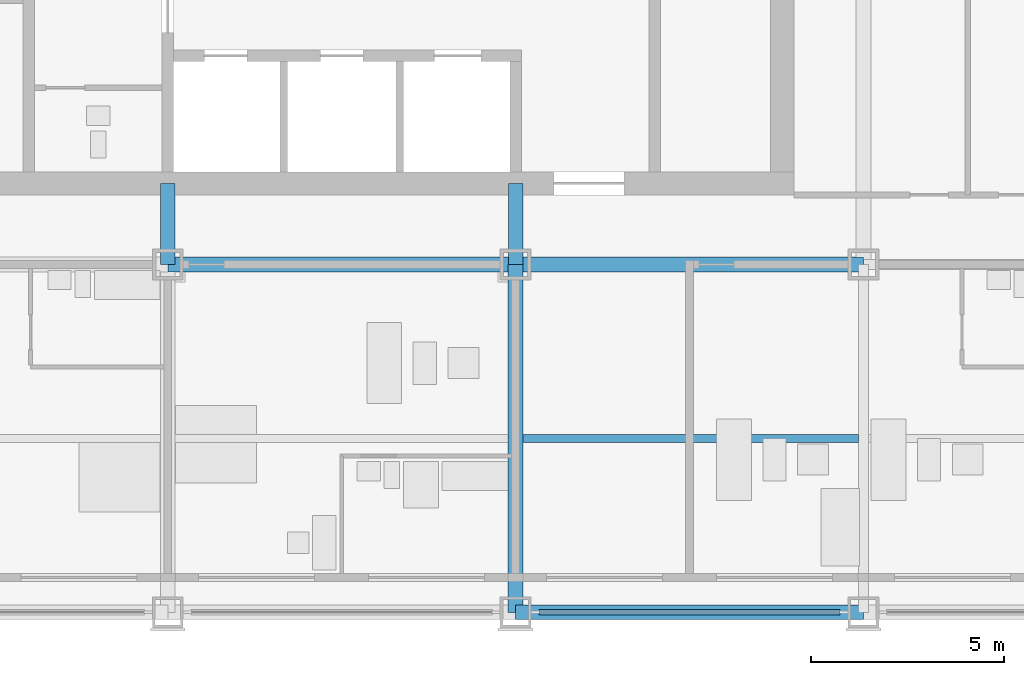
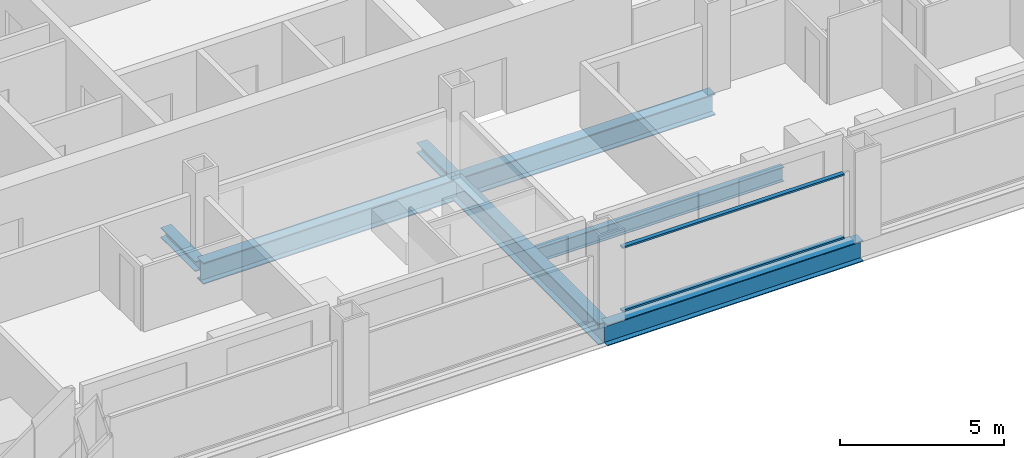
# One storey, part 3 of 18: 5 beams, 4 members, 1 element without a shape of its own.
"""IFC4 building model written with IfcOpenShell, lengths in metres."""

import ifcopenshell
import ifcopenshell.guid

model = None  # the IFC model being written
_history = None  # IfcOwnerHistory: only IFC2X3 demands one
_inside = {}  # id of a spatial element -> (the spatial element, [elements in it])
_under = {}  # id of a project, library or spatial element -> (it, [spatial elements below it])
_declared = {}  # id of a project -> (the project, [libraries it declares])
_typed = {}  # id of a type object -> (the type object, [elements of that type])
_made_of = {}  # id of a material, layer set ... -> (it, [elements and type objects made of it])


def new_model(schema):
    """Start an empty IFC model of exactly this schema.

    Asked for "IFC4X3", IfcOpenShell would pick the latest addendum, in which some entities
    have other attributes; the version numbers below select the first issue.
    IFC2X3 requires an IfcOwnerHistory on every rooted entity: one is made here for all.
    """
    global model, _history
    if schema == "IFC4X3":
        model = ifcopenshell.file(schema_version=(4, 3, 0, 0))
    else:
        model = ifcopenshell.file(schema=schema)
    _inside.clear()
    _under.clear()
    _declared.clear()
    _typed.clear()
    _made_of.clear()
    _history = None
    if model.schema == "IFC2X3":
        org = make("IfcOrganization", Name="unknown")
        user = make(
            "IfcPersonAndOrganization",
            ThePerson=make("IfcPerson", FamilyName="unknown"),
            TheOrganization=org,
        )
        app = make(
            "IfcApplication",
            ApplicationDeveloper=org,
            Version="unknown",
            ApplicationFullName="unknown",
            ApplicationIdentifier="unknown",
        )
        _history = make(
            "IfcOwnerHistory",
            OwningUser=user,
            OwningApplication=app,
            ChangeAction="ADDED",
            CreationDate=0,
        )
    return model


def make(cls, **values):
    """One entity of the class cls with the attributes given. An attribute that is None is left unset."""
    return model.create_entity(
        cls, **{name: value for name, value in values.items() if value is not None}
    )


def rooted(cls, **values):
    """An entity with a GlobalId (a new one), such as an element, a storey or a relation."""
    return make(cls, GlobalId=ifcopenshell.guid.new(), OwnerHistory=_history, **values)


def si_unit(unit_type, name, prefix=None):
    """IfcSIUnit, for example si_unit("LENGTHUNIT", "METRE", prefix="MILLI")."""
    return make("IfcSIUnit", UnitType=unit_type, Prefix=prefix, Name=name)


def assignment(units):
    """IfcUnitAssignment: the units of a project."""
    return None if units is None else make("IfcUnitAssignment", Units=units)


def point(xyz):
    """IfcCartesianPoint."""
    return None if xyz is None else make("IfcCartesianPoint", Coordinates=xyz)


def direction(xyz):
    """IfcDirection."""
    return None if xyz is None else make("IfcDirection", DirectionRatios=xyz)


def frame(location, z_axis=None, x_axis=None):
    """IfcAxis2Placement3D, a coordinate frame: its origin and axes. An axis left out is left unset."""
    return make(
        "IfcAxis2Placement3D",
        Location=point(location),
        Axis=direction(z_axis),
        RefDirection=direction(x_axis),
    )


def frame_2d(location, x_axis=None):
    """IfcAxis2Placement2D, a coordinate frame in the plane: its origin and x axis."""
    return make(
        "IfcAxis2Placement2D", Location=point(location), RefDirection=direction(x_axis)
    )


def origin():
    """The frame at (0, 0, 0) with its axes left unset."""
    return frame((0.0, 0.0, 0.0))


def origin_2d():
    """The frame at (0, 0) in the plane with its x axis left unset."""
    return frame_2d((0.0, 0.0))


def place(relative_to, where):
    """IfcLocalPlacement: puts the frame where relative to a parent placement (None: the world)."""
    return make(
        "IfcLocalPlacement", PlacementRelTo=relative_to, RelativePlacement=where
    )


def context(
    kind, dimensions, precision=None, world=None, true_north=None, identifier=None
):
    """IfcGeometricRepresentationContext, for example the 3D "Model" context."""
    return make(
        "IfcGeometricRepresentationContext",
        ContextIdentifier=identifier,
        ContextType=kind,
        CoordinateSpaceDimension=dimensions,
        Precision=precision,
        WorldCoordinateSystem=world,
        TrueNorth=true_north,
    )


def subcontext(parent, identifier, kind, view, scale=None):
    """IfcGeometricRepresentationSubContext, for example "Body" below "Model"."""
    return make(
        "IfcGeometricRepresentationSubContext",
        ContextIdentifier=identifier,
        ContextType=kind,
        ParentContext=parent,
        TargetScale=scale,
        TargetView=view,
    )


def project(units=None, contexts=None):
    """IfcProject with its units and contexts."""
    return rooted(
        "IfcProject",
        Name="project",
        RepresentationContexts=contexts,
        UnitsInContext=assignment(units),
    )


def spatial(cls, under=None, at=None, **own):
    """A site, building, storey or space (cls), placed at a placement, below another one or the project."""
    s = rooted(cls, ObjectPlacement=at, **own)
    if under is not None:
        _under.setdefault(under.id(), (under, []))[1].append(s)
    return s


def profile(cls, at=None, kind="AREA", **sizes):
    """A parametric profile (cls). Its sizes go by their IFC names, for example OverallWidth=200.0."""
    return make(cls, ProfileType=kind, Position=at, **sizes)


def rectangle(**sizes):
    """IfcRectangleProfileDef."""
    return profile("IfcRectangleProfileDef", **sizes)


def i_section(**sizes):
    """IfcIShapeProfileDef."""
    return profile("IfcIShapeProfileDef", **sizes)


def extrude(swept, where, along, depth):
    """IfcExtrudedAreaSolid: the profile swept, set in the frame where, extruded along a direction by depth."""
    return make(
        "IfcExtrudedAreaSolid",
        SweptArea=swept,
        Position=where,
        ExtrudedDirection=direction(along),
        Depth=depth,
    )


def shape(context_of_items, identifier, shape_type, items):
    """IfcShapeRepresentation: the items that make up one representation, for example the "Body"."""
    return make(
        "IfcShapeRepresentation",
        ContextOfItems=context_of_items,
        RepresentationIdentifier=identifier,
        RepresentationType=shape_type,
        Items=items,
    )


def material(Name=None, Category=None):
    """IfcMaterial."""
    return make("IfcMaterial", Name=Name, Category=Category)


def material_profile(
    of_material, cross_section, Name=None, Category=None, Priority=None
):
    """IfcMaterialProfile: a cross section and its material."""
    return make(
        "IfcMaterialProfile",
        Name=Name,
        Material=of_material,
        Profile=cross_section,
        Priority=Priority,
        Category=Category,
    )


def profile_set(profiles, Name=None, composite=None):
    """IfcMaterialProfileSet."""
    return make(
        "IfcMaterialProfileSet",
        Name=Name,
        MaterialProfiles=profiles,
        CompositeProfile=composite,
    )


def made_of(thing, what):
    """Note that an element or type object is made of a material, layer set ...; save() writes the relation."""
    if what is not None:
        _made_of.setdefault(what.id(), (what, []))[1].append(thing)
    return thing


def type_object(cls, material=None, **own):
    """A type object (cls), such as IfcWallType, which elements share."""
    return made_of(rooted(cls, **own), material)


def element(
    cls,
    number,
    at=None,
    inside=None,
    cuts=None,
    type_object=None,
    material=None,
    context=None,
    identifier="Body",
    shape_type=None,
    held_by="IfcProductDefinitionShape",
    body=None,
    shapes=None,
    **own,
):
    """One element of the class cls, such as IfcWall. Its Tag is "e" and its number.

    at: its placement. inside: the storey or other place that contains it. cuts: it is an
    opening in that element (IfcRelVoidsElement). A single representation is given by context,
    identifier, shape_type and body (its items); several are given by shapes. held_by: the class
    of the entity that holds the representations. save() writes the other relations.
    """
    e = rooted(cls, Tag="e%d" % number, ObjectPlacement=at, **own)
    if body is not None:
        shapes = [shape(context, identifier, shape_type, body)]
    if shapes is not None:
        e.Representation = make(held_by, Representations=shapes)
    if inside is not None:
        _inside.setdefault(inside.id(), (inside, []))[1].append(e)
    if cuts is not None:
        rooted(
            "IfcRelVoidsElement", RelatingBuildingElement=cuts, RelatedOpeningElement=e
        )
    if type_object is not None:
        _typed.setdefault(type_object.id(), (type_object, []))[1].append(e)
    return made_of(e, material)


def aggregate(whole, parts):
    """IfcRelAggregates: a whole, such as a stair, and the parts it consists of."""
    return rooted("IfcRelAggregates", RelatingObject=whole, RelatedObjects=parts)


def save(model, path):
    """Write the relations noted so far, then the file.

    IfcRelAggregates (storeys below a building ...), IfcRelContainedInSpatialStructure (elements
    in a storey), IfcRelDefinesByType, IfcRelAssociatesMaterial and IfcRelDeclares: one each for
    every whole, place, type object, material and project.
    """
    for whole, parts in _under.values():
        aggregate(whole, parts)
    for where, things in _inside.values():
        rooted(
            "IfcRelContainedInSpatialStructure",
            RelatedElements=things,
            RelatingStructure=where,
        )
    for kind, things in _typed.values():
        rooted("IfcRelDefinesByType", RelatedObjects=things, RelatingType=kind)
    for what, things in _made_of.values():
        rooted("IfcRelAssociatesMaterial", RelatedObjects=things, RelatingMaterial=what)
    for by, libraries in _declared.values():
        rooted("IfcRelDeclares", RelatingContext=by, RelatedDefinitions=libraries)
    model.write(path)


model = new_model("IFC4")

# Units and contexts
model_context = context("Model", 3, precision=1e-05, world=origin(), true_north=direction((0.0, 1.0)))
body_context = subcontext(model_context, "Body", "Model", "MODEL_VIEW")
ifc_project = project(units=[si_unit("LENGTHUNIT", "METRE"), si_unit("AREAUNIT", "SQUARE_METRE"), si_unit("VOLUMEUNIT", "CUBIC_METRE"), si_unit("PLANEANGLEUNIT", "RADIAN"), si_unit("MASSUNIT", "GRAM", prefix="KILO")], contexts=[model_context])

# Site, building, storey
site_placement = place(None, origin())
site = spatial("IfcSite", under=ifc_project, at=site_placement, CompositionType="ELEMENT")
building_placement = place(site_placement, origin())
building = spatial("IfcBuilding", under=site, at=building_placement, Name="Loomwork Tower", CompositionType="ELEMENT")
storey_placement = place(building_placement, frame((0.0, 0.0, 72.199951171875)))
storey = spatial("IfcBuildingStorey", under=building, at=storey_placement, Name="L18", CompositionType="ELEMENT", Elevation=72.199951171875)

# Beams
ifc_material_1 = material(Name="Steel ASTM A992", Category="steel")
ifc_material_profile_1 = material_profile(ifc_material_1, i_section(OverallWidth=0.383544921875, OverallDepth=0.794921875, WebThickness=0.02099609375, FlangeThickness=0.0380859375, at=origin_2d()), Name="W30x235")
ifc_profile_set_1 = profile_set([ifc_material_profile_1], Name="Steel ASTM A992")
beam_type_1 = type_object("IfcBeamType", Name="CORE FLANK GIRDER W30x235", PredefinedType="BEAM", material=ifc_profile_set_1)
for number, where, z_axis, x_axis, name in (
    (1, (18.0, 9.0, -0.597412109375), (1.0, 0.0, 0.0), (0.0, 1.0, 0.0), "Core Flank Girder E/4-E/5 L18"),
    (2, (27.0, 9.0, -0.597412109375), (1.0, 0.0, 0.0), (0.0, 1.0, 0.0), "Core Flank Girder E/5-E/6 L18"),
    (3, (27.0, 0.0, -0.597412109375), (0.0, 1.0, 0.0), (-1.0, 0.0, 0.0), "Core Flank Girder D/5-E/5 L18"),
):
    element("IfcBeam", number, at=place(storey_placement, frame(where, z_axis=z_axis, x_axis=x_axis)), inside=storey, type_object=beam_type_1, Name=name, PredefinedType="BEAM", context=body_context, shape_type="SweptSolid", body=[
        extrude(i_section(OverallWidth=0.383544921875, OverallDepth=0.794921875, WebThickness=0.02099609375, FlangeThickness=0.0380859375, at=origin_2d()), origin(), (0.0, 0.0, 1.0), 9.0),
    ])

# Members
ifc_material_2 = material(Name="Steel ASTM A992", Category="steel")
ifc_material_profile_2 = material_profile(ifc_material_2, i_section(OverallWidth=0.373291015625, OverallDepth=0.373291015625, WebThickness=0.016357421875, FlangeThickness=0.026123046875, at=origin_2d()), Name="W14x132")
ifc_profile_set_2 = profile_set([ifc_material_profile_2], Name="Steel ASTM A992")
member_type_1 = type_object("IfcMemberType", Name="CORE LINK STRUT W14x132", PredefinedType="STRUT", material=ifc_profile_set_2)
for number, where, z_axis, x_axis, name in (
    (4, (27.0, 9.0, -0.38671875), (0.0, 1.0, 0.0), (-1.0, 0.0, 0.0), "Core link strut E/5-27.000,11.100 L18"),
    (5, (18.0, 9.0, -0.38671875), (0.0, 1.0, 0.0), (-1.0, 0.0, 0.0), "Core link strut E/4-18.000,11.100 L18"),
):
    element("IfcMember", number, at=place(storey_placement, frame(where, z_axis=z_axis, x_axis=x_axis)), inside=storey, type_object=member_type_1, Name=name, PredefinedType="STRUT", context=body_context, shape_type="SweptSolid", body=[
        extrude(i_section(OverallWidth=0.373291015625, OverallDepth=0.373291015625, WebThickness=0.016357421875, FlangeThickness=0.026123046875, at=origin_2d()), origin(), (0.0, 0.0, 1.0), 2.10009765625),
    ])

# Beam
ifc_material_3 = material(Name="Steel ASTM A992", Category="steel")
ifc_material_profile_3 = material_profile(ifc_material_3, i_section(OverallWidth=0.2109375, OverallDepth=0.53857421875, WebThickness=0.011474609375, FlangeThickness=0.018798828125, at=origin_2d()), Name="W21x73")
ifc_profile_set_3 = profile_set([ifc_material_profile_3], Name="Steel ASTM A992")
beam_type_2 = type_object("IfcBeamType", Name="FLOOR JOIST W21x73", PredefinedType="JOIST", material=ifc_profile_set_3)
beam_1_placement = place(storey_placement, frame((27.19091796875, 4.5, -0.46923828125), z_axis=(1.0, 0.0, 0.0), x_axis=(0.0, 1.0, 0.0)))
element("IfcBeam", 6, at=beam_1_placement, inside=storey, type_object=beam_type_2, Name="Floor Joist 27.000,4.500-36.000,4.500 L18", PredefinedType="JOIST", context=body_context, shape_type="SweptSolid", body=[
    extrude(i_section(OverallWidth=0.2109375, OverallDepth=0.53857421875, WebThickness=0.011474609375, FlangeThickness=0.018798828125, at=origin_2d()), origin(), (0.0, 0.0, 1.0), 8.676025390625),
])

# Curtain wall, members
ifc_material_4 = material(Name="Aluminium curtain wall frame", Category="aluminium")
curtain_wall_type = type_object("IfcCurtainWallType", Name="Outer skin glazing hotel", PredefinedType="NOTDEFINED", material=ifc_material_4)
curtain_wall_placement = place(storey_placement, origin())
curtain_wall = element("IfcCurtainWall", 7, at=curtain_wall_placement, inside=storey, type_object=curtain_wall_type, Name="Outer skin glazing hotel cw/S-27", PredefinedType="NOTDEFINED")
ifc_material_5 = material(Name="Aluminium curtain wall frame", Category="aluminium")
ifc_material_profile_4 = material_profile(ifc_material_5, rectangle(XDim=0.14990234375, YDim=0.06494140625, at=origin_2d()), Name="AL 65x150")
ifc_profile_set_4 = profile_set([ifc_material_profile_4], Name="Aluminium curtain wall frame")
member_type_2 = type_object("IfcMemberType", Name="Outer skin glazing hotel transom", PredefinedType="USERDEFINED", material=ifc_profile_set_4)
member_1_placement = place(storey_placement, frame((27.60009765625, 0.0, 0.032470703125), z_axis=(1.0, 0.0, 0.0), x_axis=(0.0, 1.0, 0.0)))
member_1 = element("IfcMember", 8, at=member_1_placement, type_object=member_type_2, Name="CW1 transom 1.1", ObjectType="TRANSOM", PredefinedType="USERDEFINED", context=body_context, shape_type="SweptSolid", body=[
    extrude(rectangle(XDim=0.14990234375, YDim=0.06494140625, at=origin_2d()), origin(), (0.0, 0.0, 1.0), 7.7998046875),
])
member_2_placement = place(storey_placement, frame((27.60009765625, 0.0, 2.3876953125), z_axis=(1.0, 0.0, 0.0), x_axis=(0.0, 1.0, 0.0)))
member_2 = element("IfcMember", 9, at=member_2_placement, type_object=member_type_2, Name="CW1 transom 1.2", ObjectType="TRANSOM", PredefinedType="USERDEFINED", context=body_context, shape_type="SweptSolid", body=[
    extrude(rectangle(XDim=0.14990234375, YDim=0.06494140625, at=origin_2d()), origin(), (0.0, 0.0, 1.0), 7.7998046875),
])
aggregate(curtain_wall, [member_1, member_2])

# Beam
ifc_material_6 = material(Name="Steel ASTM A992", Category="steel")
ifc_material_profile_5 = material_profile(ifc_material_6, i_section(OverallWidth=0.381103515625, OverallDepth=0.77978515625, WebThickness=0.01806640625, FlangeThickness=0.0302734375, at=origin_2d()), Name="W30x191")
ifc_profile_set_5 = profile_set([ifc_material_profile_5], Name="Steel ASTM A992")
beam_type_3 = type_object("IfcBeamType", Name="SPANDREL GIRDER W30x191", PredefinedType="SPANDREL", material=ifc_profile_set_5)
beam_2_placement = place(storey_placement, frame((27.0, 0.0, -0.58984375), z_axis=(1.0, 0.0, 0.0), x_axis=(0.0, 1.0, 0.0)))
element("IfcBeam", 10, at=beam_2_placement, inside=storey, type_object=beam_type_3, Name="Spandrel Girder D/5-D/6 L18", PredefinedType="SPANDREL", context=body_context, shape_type="SweptSolid", body=[
    extrude(i_section(OverallWidth=0.381103515625, OverallDepth=0.77978515625, WebThickness=0.01806640625, FlangeThickness=0.0302734375, at=origin_2d()), origin(), (0.0, 0.0, 1.0), 9.0),
])

save(model, "model.ifc")
